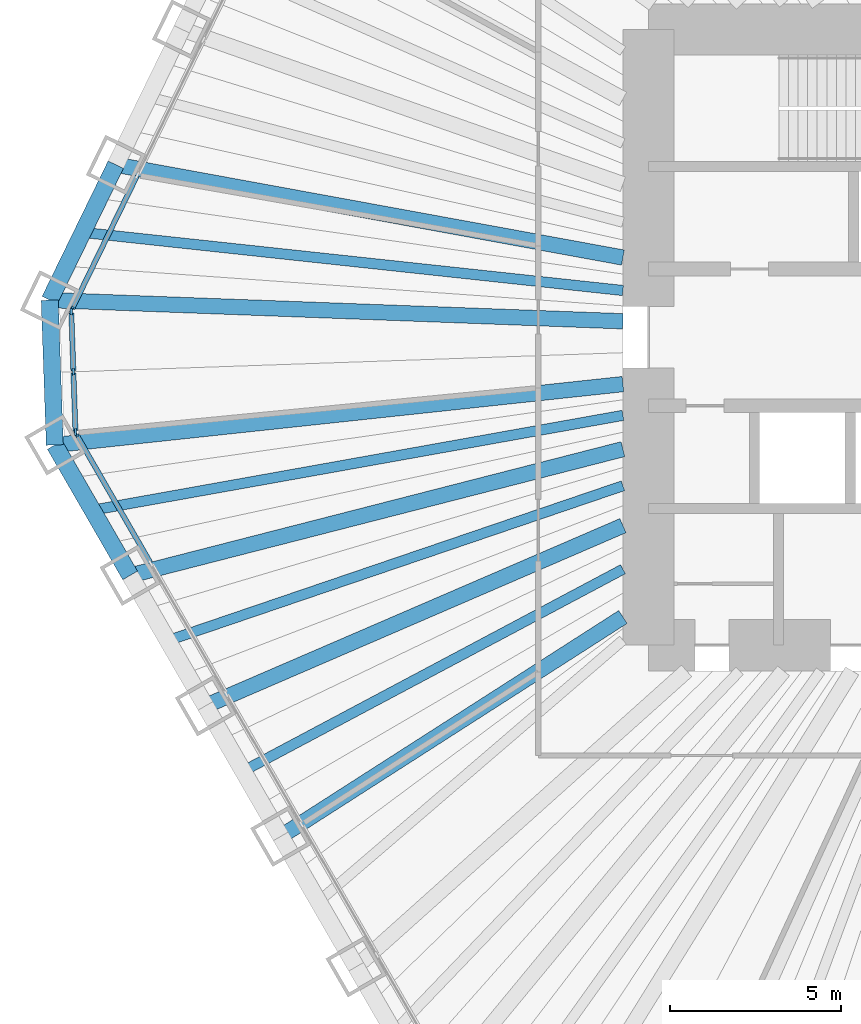
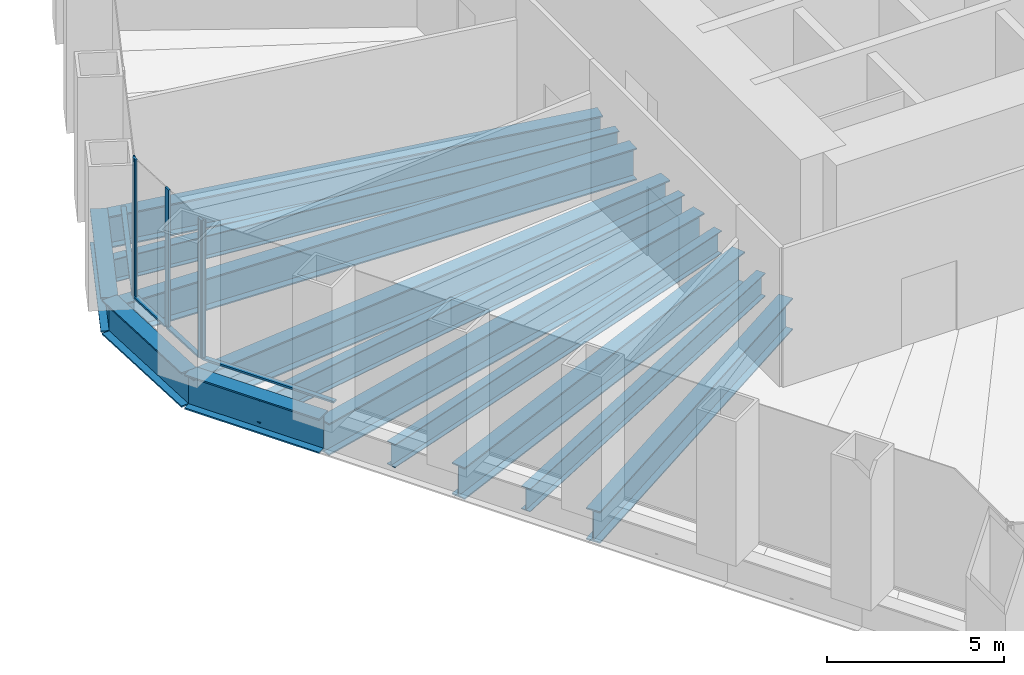
# One storey, part 3 of 13: 13 beams, 9 members, 3 elements without a shape of their own.
"""IFC4 building model written with IfcOpenShell, lengths in metres."""

from ifc_helpers import new_model, si_unit, direction, frame, origin, origin_2d, place, context, subcontext, project, spatial, rectangle, i_section, extrude, material, material_profile, profile_set, type_object, element, aggregate, save


model = new_model("IFC4")

# Units and contexts
model_context = context("Model", 3, precision=1e-05, world=origin(), true_north=direction((0.0, 1.0)))
body_context = subcontext(model_context, "Body", "Model", "MODEL_VIEW")
ifc_project = project(units=[si_unit("LENGTHUNIT", "METRE"), si_unit("AREAUNIT", "SQUARE_METRE"), si_unit("VOLUMEUNIT", "CUBIC_METRE"), si_unit("PLANEANGLEUNIT", "RADIAN"), si_unit("MASSUNIT", "GRAM", prefix="KILO")], contexts=[model_context])

# Site, building, storey
site_placement = place(None, origin())
site = spatial("IfcSite", under=ifc_project, at=site_placement, CompositionType="ELEMENT")
building_placement = place(site_placement, origin())
building = spatial("IfcBuilding", under=site, at=building_placement, Name="Qingtian Harvest Tower", CompositionType="ELEMENT")
storey_placement = place(building_placement, frame((0.0, 0.0, 67.0)))
storey = spatial("IfcBuildingStorey", under=building, at=storey_placement, Name="L13", CompositionType="ELEMENT", Elevation=67.0)

# Beams
ifc_material_1 = material(Name="Steel SM570MC", Category="steel")
ifc_material_profile_1 = material_profile(ifc_material_1, i_section(OverallWidth=0.449951171875, OverallDepth=1.10009765625, WebThickness=0.02197265625, FlangeThickness=0.044921875, at=origin_2d()), Name="H1100x450x22x45")
ifc_profile_set_1 = profile_set([ifc_material_profile_1], Name="Steel SM570MC")
beam_type_1 = type_object("IfcBeamType", Name="Corner floor beam FB8 H1100x450x22x45", PredefinedType="BEAM", material=ifc_profile_set_1)
beam_1_placement = place(storey_placement, frame((-29.36083984375, -3.145751953125, -0.75), z_axis=(0.994308822197, 0.106536219669, 0.0), x_axis=(-0.106536219669, 0.994308822197, 0.0)))
element("IfcBeam", 1, at=beam_1_placement, inside=storey, type_object=beam_type_1, Name="Floor beam FB8 SW6", PredefinedType="BEAM", context=body_context, shape_type="SweptSolid", body=[
    extrude(i_section(OverallWidth=0.449951171875, OverallDepth=1.10009765625, WebThickness=0.02197265625, FlangeThickness=0.044921875, at=origin_2d()), origin(), (0.0, 0.0, 1.0), 16.705810546875),
])
beam_2_placement = place(storey_placement, frame((-29.5087890625, 1.08984375, -0.75), z_axis=(0.999318796571, -0.036904509488, 0.0), x_axis=(0.036904509488, 0.999318796571, 0.0)))
element("IfcBeam", 2, at=beam_2_placement, inside=storey, type_object=beam_type_1, Name="Floor beam FB8 NW0", PredefinedType="BEAM", context=body_context, shape_type="SweptSolid", body=[
    extrude(i_section(OverallWidth=0.449951171875, OverallDepth=1.10009765625, WebThickness=0.02197265625, FlangeThickness=0.044921875, at=origin_2d()), origin(), (0.0, 0.0, 1.0), 16.770263671875),
])
ifc_material_2 = material(Name="Steel SM570MC", Category="steel")
ifc_material_profile_2 = material_profile(ifc_material_2, i_section(OverallWidth=0.449951171875, OverallDepth=1.10009765625, WebThickness=0.02197265625, FlangeThickness=0.044921875, at=origin_2d()), Name="H1100x450x22x45")
ifc_profile_set_2 = profile_set([ifc_material_profile_2], Name="Steel SM570MC")
beam_type_2 = type_object("IfcBeamType", Name="Floor beam FB1 H1100x450x22x45", PredefinedType="BEAM", material=ifc_profile_set_2)
beam_3_placement = place(storey_placement, frame((-22.75390625, -14.589111328125, -0.75), z_axis=(0.841829353865, 0.539743771591, 0.0), x_axis=(-0.539743771591, 0.841829353865, 0.0)))
element("IfcBeam", 3, at=beam_3_placement, inside=storey, type_object=beam_type_2, Name="Floor beam FB1 SW3", PredefinedType="BEAM", context=body_context, shape_type="SweptSolid", body=[
    extrude(i_section(OverallWidth=0.449951171875, OverallDepth=1.10009765625, WebThickness=0.02197265625, FlangeThickness=0.044921875, at=origin_2d()), origin(), (0.0, 0.0, 1.0), 11.883544921875),
])
beam_4_placement = place(storey_placement, frame((-24.9560546875, -10.774658203125, -0.75), z_axis=(0.918083617325, 0.396386770213, 0.0), x_axis=(-0.396386770213, 0.918083617325, 0.0)))
element("IfcBeam", 4, at=beam_4_placement, inside=storey, type_object=beam_type_2, Name="Floor beam FB1 SW4", PredefinedType="BEAM", context=body_context, shape_type="SweptSolid", body=[
    extrude(i_section(OverallWidth=0.449951171875, OverallDepth=1.10009765625, WebThickness=0.02197265625, FlangeThickness=0.044921875, at=origin_2d()), origin(), (0.0, 0.0, 1.0), 13.295166015625),
])
beam_5_placement = place(storey_placement, frame((-27.158447265625, -6.960205078125, -0.75), z_axis=(0.968693729942, 0.248258851947, 0.0), x_axis=(-0.248258851947, 0.968693729942, 0.0)))
element("IfcBeam", 5, at=beam_5_placement, inside=storey, type_object=beam_type_2, Name="Floor beam FB1 SW5", PredefinedType="BEAM", context=body_context, shape_type="SweptSolid", body=[
    extrude(i_section(OverallWidth=0.449951171875, OverallDepth=1.10009765625, WebThickness=0.02197265625, FlangeThickness=0.044921875, at=origin_2d()), origin(), (0.0, 0.0, 1.0), 14.8740234375),
])
beam_6_placement = place(storey_placement, frame((-27.577880859375, 5.048828125, -0.75), z_axis=(0.98365177106, -0.180081074215, 0.0), x_axis=(0.180081074215, 0.98365177106, 0.0)))
element("IfcBeam", 6, at=beam_6_placement, inside=storey, type_object=beam_type_2, Name="Floor beam FB1 NW1", PredefinedType="BEAM", context=body_context, shape_type="SweptSolid", body=[
    extrude(i_section(OverallWidth=0.449951171875, OverallDepth=1.10009765625, WebThickness=0.02197265625, FlangeThickness=0.044921875, at=origin_2d()), origin(), (0.0, 0.0, 1.0), 15.07421875),
])
ifc_material_3 = material(Name="Steel SN490B", Category="steel")
ifc_material_profile_3 = material_profile(ifc_material_3, i_section(OverallWidth=0.300048828125, OverallDepth=0.800048828125, WebThickness=0.013916015625, FlangeThickness=0.02587890625, at=origin_2d()), Name="H800x300x14x26")
ifc_profile_set_3 = profile_set([ifc_material_profile_3], Name="Steel SN490B")
beam_type_3 = type_object("IfcBeamType", Name="Floor joist J1 H800x300x14x26", PredefinedType="JOIST", material=ifc_profile_set_3)
beam_7_placement = place(storey_placement, frame((-23.85498046875, -12.681884765625, -0.60009765625), z_axis=(0.882982474604, 0.469405953885, 0.0), x_axis=(-0.469405953885, 0.882982474604, 0.0)))
element("IfcBeam", 7, at=beam_7_placement, inside=storey, type_object=beam_type_3, Name="Floor joist J1 SW3", PredefinedType="JOIST", context=body_context, shape_type="SweptSolid", body=[
    extrude(i_section(OverallWidth=0.300048828125, OverallDepth=0.800048828125, WebThickness=0.013916015625, FlangeThickness=0.02587890625, at=origin_2d()), origin(), (0.0, 0.0, 1.0), 12.57666015625),
])
beam_8_placement = place(storey_placement, frame((-26.057373046875, -8.867431640625, -0.60009765625), z_axis=(0.946684735425, 0.322161468387, 0.0), x_axis=(-0.322161468387, 0.946684735425, 0.0)))
element("IfcBeam", 8, at=beam_8_placement, inside=storey, type_object=beam_type_3, Name="Floor joist J1 SW4", PredefinedType="JOIST", context=body_context, shape_type="SweptSolid", body=[
    extrude(i_section(OverallWidth=0.300048828125, OverallDepth=0.800048828125, WebThickness=0.013916015625, FlangeThickness=0.02587890625, at=origin_2d()), origin(), (0.0, 0.0, 1.0), 14.056884765625),
])
beam_9_placement = place(storey_placement, frame((-28.259521484375, -5.052978515625, -0.60009765625), z_axis=(0.984387614034, 0.176014275943, 0.0), x_axis=(-0.176014275943, 0.984387614034, 0.0)))
element("IfcBeam", 9, at=beam_9_placement, inside=storey, type_object=beam_type_3, Name="Floor joist J1 SW5", PredefinedType="JOIST", context=body_context, shape_type="SweptSolid", body=[
    extrude(i_section(OverallWidth=0.300048828125, OverallDepth=0.800048828125, WebThickness=0.013916015625, FlangeThickness=0.02587890625, at=origin_2d()), origin(), (0.0, 0.0, 1.0), 15.755615234375),
])
beam_10_placement = place(storey_placement, frame((-28.543212890625, 3.0693359375, -0.60009765625), z_axis=(0.994268320665, -0.106913546948, 0.0), x_axis=(0.106913546948, 0.994268320665, 0.0)))
element("IfcBeam", 10, at=beam_10_placement, inside=storey, type_object=beam_type_3, Name="Floor joist J1 NW0", PredefinedType="JOIST", context=body_context, shape_type="SweptSolid", body=[
    extrude(i_section(OverallWidth=0.300048828125, OverallDepth=0.800048828125, WebThickness=0.013916015625, FlangeThickness=0.02587890625, at=origin_2d()), origin(), (0.0, 0.0, 1.0), 15.88427734375),
])

# Curtain wall, member
ifc_material_4 = material(Name="Bronze-anodised aluminium curtain wall", Category="aluminium")
curtain_wall_type = type_object("IfcCurtainWallType", Name="Curtain wall CW2 farm reception", PredefinedType="USERDEFINED", material=ifc_material_4)
curtain_wall_1_placement = place(storey_placement, origin())
curtain_wall_1 = element("IfcCurtainWall", 11, at=curtain_wall_1_placement, inside=storey, type_object=curtain_wall_type, Name="Curtain wall CW2 L13 SW0-5", ObjectType="RECESSED CURTAIN WALL", PredefinedType="USERDEFINED")
ifc_material_5 = material(Name="Bronze-anodised aluminium mullion", Category="aluminium")
ifc_material_profile_4 = material_profile(ifc_material_5, rectangle(XDim=0.06494140625, YDim=0.199951171875, at=origin_2d()), Name="AL 65x200")
ifc_profile_set_4 = profile_set([ifc_material_profile_4], Name="Bronze-anodised aluminium mullion")
member_type_1 = type_object("IfcMemberType", Name="Mullion CWM 65x200", PredefinedType="MULLION", material=ifc_profile_set_4)
member_1_placement = place(storey_placement, frame((-28.73828125, -2.82373046875, 0.0), z_axis=(0.0, 0.0, 1.0), x_axis=(-0.866025403784, -0.5, 0.0)))
member_1 = element("IfcMember", 12, at=member_1_placement, type_object=member_type_1, Name="CW2 mullion 7", PredefinedType="MULLION", context=body_context, shape_type="SweptSolid", body=[
    extrude(rectangle(XDim=0.06494140625, YDim=0.199951171875, at=origin_2d()), origin(), (0.0, 0.0, 1.0), 4.800048828125),
])

# Curtain wall, members
curtain_wall_2_placement = place(storey_placement, origin())
curtain_wall_2 = element("IfcCurtainWall", 13, at=curtain_wall_2_placement, inside=storey, type_object=curtain_wall_type, Name="Curtain wall CW2 L13 SWC", ObjectType="RECESSED CURTAIN WALL", PredefinedType="USERDEFINED")
member_2_placement = place(storey_placement, frame((-28.755615234375, -2.76318359375, 0.0), z_axis=(0.0, 0.0, 1.0), x_axis=(-0.999390827019, -0.034899496703, 0.0)))
member_2 = element("IfcMember", 14, at=member_2_placement, type_object=member_type_1, Name="CW2 mullion 1", PredefinedType="MULLION", context=body_context, shape_type="SweptSolid", body=[
    extrude(rectangle(XDim=0.06494140625, YDim=0.199951171875, at=origin_2d()), origin(), (0.0, 0.0, 1.0), 4.800048828125),
])
member_3_placement = place(storey_placement, frame((-28.817138671875, -1.00634765625, 0.0), z_axis=(0.0, 0.0, 1.0), x_axis=(-0.999390827019, -0.034899496703, 0.0)))
member_3 = element("IfcMember", 15, at=member_3_placement, type_object=member_type_1, Name="CW2 mullion 2", PredefinedType="MULLION", context=body_context, shape_type="SweptSolid", body=[
    extrude(rectangle(XDim=0.06494140625, YDim=0.199951171875, at=origin_2d()), origin(), (0.0, 0.0, 1.0), 4.800048828125),
])
member_4_placement = place(storey_placement, frame((-28.87841796875, 0.75048828125, 0.0), z_axis=(0.0, 0.0, 1.0), x_axis=(-0.999390827019, -0.034899496703, 0.0)))
member_4 = element("IfcMember", 16, at=member_4_placement, type_object=member_type_1, Name="CW2 mullion 3", PredefinedType="MULLION", context=body_context, shape_type="SweptSolid", body=[
    extrude(rectangle(XDim=0.06494140625, YDim=0.199951171875, at=origin_2d()), origin(), (0.0, 0.0, 1.0), 4.800048828125),
])

# Curtain wall, member
curtain_wall_3_placement = place(storey_placement, origin())
curtain_wall_3 = element("IfcCurtainWall", 17, at=curtain_wall_3_placement, inside=storey, type_object=curtain_wall_type, Name="Curtain wall CW2 L13 NW0-5", ObjectType="RECESSED CURTAIN WALL", PredefinedType="USERDEFINED")
member_5_placement = place(storey_placement, frame((-28.865234375, 0.812255859375, 0.0), z_axis=(0.0, 0.0, 1.0), x_axis=(-0.898794046299, 0.438371146789, 0.0)))
member_5 = element("IfcMember", 18, at=member_5_placement, type_object=member_type_1, Name="CW2 mullion 1", PredefinedType="MULLION", context=body_context, shape_type="SweptSolid", body=[
    extrude(rectangle(XDim=0.06494140625, YDim=0.199951171875, at=origin_2d()), origin(), (0.0, 0.0, 1.0), 4.800048828125),
])

# Beams
ifc_material_6 = material(Name="Steel SM570MC", Category="steel")
ifc_material_profile_5 = material_profile(ifc_material_6, i_section(OverallWidth=0.5, OverallDepth=1.199951171875, WebThickness=0.02490234375, FlangeThickness=0.050048828125, at=origin_2d()), Name="H1200x500x25x50")
ifc_profile_set_5 = profile_set([ifc_material_profile_5], Name="Steel SM570MC")
beam_type_4 = type_object("IfcBeamType", Name="Spandrel beam SB1 H1200x500x25x50", PredefinedType="SPANDREL", material=ifc_profile_set_5)
beam_11_placement = place(storey_placement, frame((-27.158447265625, -6.960205078125, -0.60009765625), z_axis=(-0.50001992892, 0.866013897511, 0.0), x_axis=(-0.866013897511, -0.50001992892, 0.0)))
element("IfcBeam", 19, at=beam_11_placement, inside=storey, type_object=beam_type_4, Name="Spandrel SB1 SW5", PredefinedType="SPANDREL", context=body_context, shape_type="SweptSolid", body=[
    extrude(i_section(OverallWidth=0.5, OverallDepth=1.199951171875, WebThickness=0.02490234375, FlangeThickness=0.050048828125, at=origin_2d()), origin(), (0.0, 0.0, 1.0), 4.404541015625),
])
beam_12_placement = place(storey_placement, frame((-29.36083984375, -3.145751953125, -0.60009765625), z_axis=(-0.034908677553, 0.999390506375, 0.0), x_axis=(-0.999390506375, -0.034908677553, 0.0)))
element("IfcBeam", 20, at=beam_12_placement, inside=storey, type_object=beam_type_4, Name="Spandrel SB1 SWC", PredefinedType="SPANDREL", context=body_context, shape_type="SweptSolid", body=[
    extrude(i_section(OverallWidth=0.5, OverallDepth=1.199951171875, WebThickness=0.02490234375, FlangeThickness=0.050048828125, at=origin_2d()), origin(), (0.0, 0.0, 1.0), 4.23828125),
])
beam_13_placement = place(storey_placement, frame((-29.5087890625, 1.08984375, -0.60009765625), z_axis=(0.438367938366, 0.898795611145, 0.0), x_axis=(-0.898795611145, 0.438367938366, 0.0)))
element("IfcBeam", 21, at=beam_13_placement, inside=storey, type_object=beam_type_4, Name="Spandrel SB1 NW0", PredefinedType="SPANDREL", context=body_context, shape_type="SweptSolid", body=[
    extrude(i_section(OverallWidth=0.5, OverallDepth=1.199951171875, WebThickness=0.02490234375, FlangeThickness=0.050048828125, at=origin_2d()), origin(), (0.0, 0.0, 1.0), 4.40478515625),
])

# Member
ifc_material_7 = material(Name="Bronze-anodised aluminium transom", Category="aluminium")
ifc_material_profile_6 = material_profile(ifc_material_7, rectangle(XDim=0.14990234375, YDim=0.06494140625, at=origin_2d()), Name="AL 65x150")
ifc_profile_set_6 = profile_set([ifc_material_profile_6], Name="Bronze-anodised aluminium transom")
member_type_2 = type_object("IfcMemberType", Name="Transom CWT 65x150", PredefinedType="USERDEFINED", material=ifc_profile_set_6)
member_6_placement = place(storey_placement, frame((-26.568603515625, -6.58203125, 0.032470703125), z_axis=(-0.499967798808, 0.866043994353, 0.0), x_axis=(-0.866043994353, -0.499967798808, 0.0)))
member_6 = element("IfcMember", 22, at=member_6_placement, type_object=member_type_2, Name="CW2 transom 6.1", ObjectType="TRANSOM", PredefinedType="USERDEFINED", context=body_context, shape_type="SweptSolid", body=[
    extrude(rectangle(XDim=0.14990234375, YDim=0.06494140625, at=origin_2d()), origin(), (0.0, 0.0, 1.0), 4.306884765625),
])

aggregate(curtain_wall_1, [member_1, member_6])

member_7_placement = place(storey_placement, frame((-28.7568359375, -2.730712890625, 0.032470703125), z_axis=(-0.034899362377, 0.99939083171, 0.0), x_axis=(-0.99939083171, -0.034899362377, 0.0)))
member_7 = element("IfcMember", 23, at=member_7_placement, type_object=member_type_2, Name="CW2 transom 1.1", ObjectType="TRANSOM", PredefinedType="USERDEFINED", context=body_context, shape_type="SweptSolid", body=[
    extrude(rectangle(XDim=0.14990234375, YDim=0.06494140625, at=origin_2d()), origin(), (0.0, 0.0, 1.0), 1.69287109375),
])

member_8_placement = place(storey_placement, frame((-28.818115234375, -0.973876953125, 0.032470703125), z_axis=(-0.034899362377, 0.99939083171, 0.0), x_axis=(-0.99939083171, -0.034899362377, 0.0)))
member_8 = element("IfcMember", 24, at=member_8_placement, type_object=member_type_2, Name="CW2 transom 2.1", ObjectType="TRANSOM", PredefinedType="USERDEFINED", context=body_context, shape_type="SweptSolid", body=[
    extrude(rectangle(XDim=0.14990234375, YDim=0.06494140625, at=origin_2d()), origin(), (0.0, 0.0, 1.0), 1.69287109375),
])

aggregate(curtain_wall_2, [member_2, member_3, member_4, member_7, member_8])

member_9_placement = place(storey_placement, frame((-28.85107421875, 0.841552734375, 0.032470703125), z_axis=(0.438394595167, 0.898782609383, 0.0), x_axis=(-0.898782609383, 0.438394595167, 0.0)))
member_9 = element("IfcMember", 25, at=member_9_placement, type_object=member_type_2, Name="CW2 transom 1.1", ObjectType="TRANSOM", PredefinedType="USERDEFINED", context=body_context, shape_type="SweptSolid", body=[
    extrude(rectangle(XDim=0.14990234375, YDim=0.06494140625, at=origin_2d()), origin(), (0.0, 0.0, 1.0), 4.30712890625),
])

aggregate(curtain_wall_3, [member_5, member_9])

save(model, "model.ifc")
